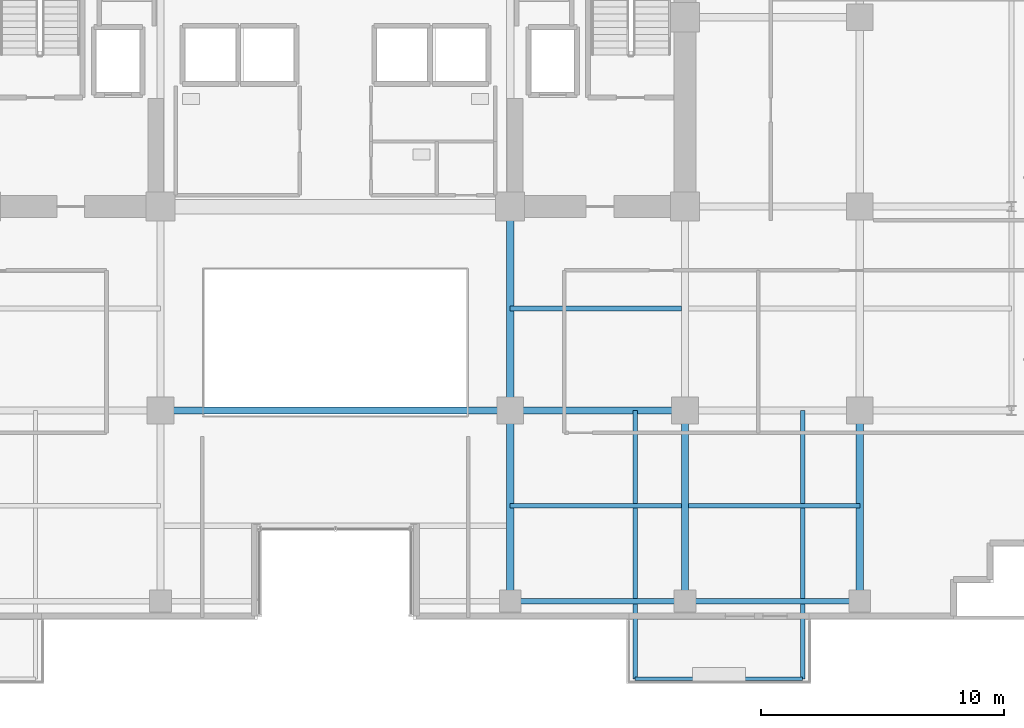
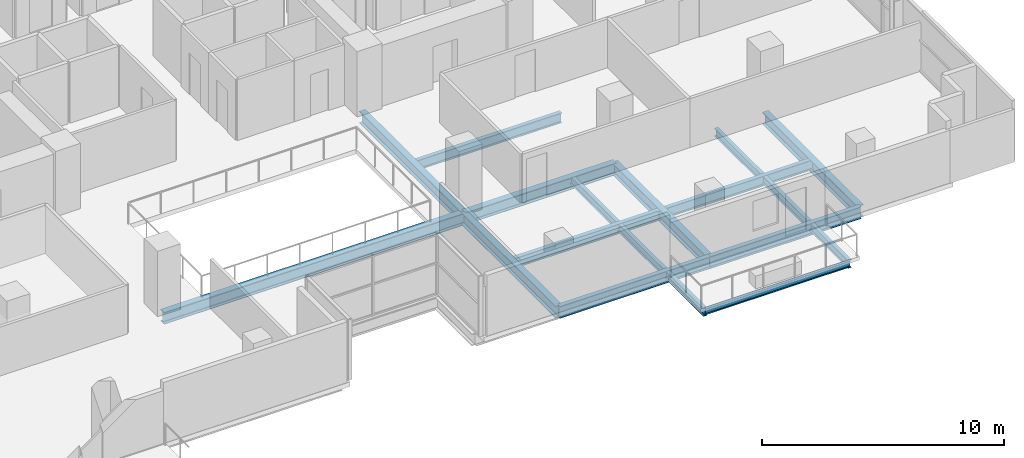
# One storey, part 10 of 30: 14 beams.
"""IFC4 building model written with IfcOpenShell, lengths in metres."""

from ifc_helpers import new_model, si_unit, direction, frame, origin, origin_2d, place, context, subcontext, project, spatial, i_section, extrude, material, material_profile, profile_set, type_object, element, save


model = new_model("IFC4")

# Units and contexts
model_context = context("Model", 3, precision=1e-05, world=origin(), true_north=direction((0.0, 1.0)))
body_context = subcontext(model_context, "Body", "Model", "MODEL_VIEW")
ifc_project = project(units=[si_unit("LENGTHUNIT", "METRE"), si_unit("AREAUNIT", "SQUARE_METRE"), si_unit("VOLUMEUNIT", "CUBIC_METRE"), si_unit("PLANEANGLEUNIT", "RADIAN"), si_unit("MASSUNIT", "GRAM", prefix="KILO")], contexts=[model_context])

# Site, building, storey
site_placement = place(None, origin())
site = spatial("IfcSite", under=ifc_project, at=site_placement, CompositionType="ELEMENT")
building_placement = place(site_placement, origin())
building = spatial("IfcBuilding", under=site, at=building_placement, Name="Zarnakvel Exchange Tower", CompositionType="ELEMENT")
storey_placement = place(building_placement, frame((0.0, 0.0, 34.0)))
storey = spatial("IfcBuildingStorey", under=building, at=storey_placement, Name="L08", CompositionType="ELEMENT", Elevation=34.0)

# Beams
ifc_material = material(Name="Steel S355", Category="steel")
ifc_material_profile_1 = material_profile(ifc_material, i_section(OverallWidth=0.199951171875, OverallDepth=0.5, WebThickness=0.01025390625, FlangeThickness=0.01611328125, FilletRadius=0.02099609375, at=origin_2d()))
ifc_profile_set_1 = profile_set([ifc_material_profile_1], Name="Steel S355")
beam_type_1 = type_object("IfcBeamType", Name="B-04", PredefinedType="JOIST", material=ifc_profile_set_1)
for number, where, z_axis, x_axis, name in (
    (1, (7.199951171875, -13.52490234375, -0.47509765625), (1.0, 0.0, 0.0), (0.0, 1.0, 0.0), "L08 Composite Floor Secondary Joist"),
    (2, (14.550048828125, -13.52490234375, -0.47509765625), (1.0, 0.0, 0.0), (0.0, 1.0, 0.0), "L08 Composite Floor Secondary Joist"),
    (3, (7.199951171875, -5.39990234375, -0.47509765625), (1.0, 0.0, 0.0), (0.0, 1.0, 0.0), "L08 Composite Floor Secondary Joist"),
):
    element("IfcBeam", number, at=place(storey_placement, frame(where, z_axis=z_axis, x_axis=x_axis)), inside=storey, type_object=beam_type_1, Name=name, PredefinedType="JOIST", context=body_context, shape_type="SweptSolid", body=[
        extrude(i_section(OverallWidth=0.199951171875, OverallDepth=0.5, WebThickness=0.01025390625, FlangeThickness=0.01611328125, FilletRadius=0.02099609375, at=origin_2d()), origin(), (0.0, 0.0, 1.0), 7.050048828125),
    ])
ifc_material_profile_2 = material_profile(ifc_material, i_section(OverallWidth=0.179931640625, OverallDepth=0.39990234375, WebThickness=0.008544921875, FlangeThickness=0.013427734375, FilletRadius=0.02099609375, at=origin_2d()))
ifc_profile_set_2 = profile_set([ifc_material_profile_2], Name="Steel S355")
beam_type_2 = type_object("IfcBeamType", Name="B-06", PredefinedType="JOIST", material=ifc_profile_set_2)
for number, where, z_axis, x_axis, name in (
    (4, (12.35009765625, -9.60009765625, -0.425048828125), (0.0, -1.0, 0.0), (1.0, 0.0, 0.0), "L08 Continuous Back-Spanned Balcony Beam W"),
    (5, (19.25, -9.60009765625, -0.425048828125), (0.0, -1.0, 0.0), (1.0, 0.0, 0.0), "L08 Continuous Back-Spanned Balcony Beam E"),
):
    element("IfcBeam", number, at=place(storey_placement, frame(where, z_axis=z_axis, x_axis=x_axis)), inside=storey, type_object=beam_type_2, Name=name, PredefinedType="JOIST", context=body_context, shape_type="SweptSolid", body=[
        extrude(i_section(OverallWidth=0.179931640625, OverallDepth=0.39990234375, WebThickness=0.008544921875, FlangeThickness=0.013427734375, FilletRadius=0.02099609375, at=origin_2d()), origin(), (0.0, 0.0, 1.0), 11.0498046875),
    ])
ifc_material_profile_3 = material_profile(ifc_material, i_section(OverallWidth=0.14990234375, OverallDepth=0.300048828125, WebThickness=0.007080078125, FlangeThickness=0.0107421875, FilletRadius=0.014892578125, at=origin_2d()))
ifc_profile_set_3 = profile_set([ifc_material_profile_3], Name="Steel S355")
beam_type_3 = type_object("IfcBeamType", Name="B-08", PredefinedType="JOIST", material=ifc_profile_set_3)
beam_1_placement = place(storey_placement, frame((12.35009765625, -20.64990234375, -0.375), z_axis=(1.0, 0.0, 0.0), x_axis=(0.0, 1.0, 0.0)))
element("IfcBeam", 6, at=beam_1_placement, inside=storey, type_object=beam_type_3, Name="L08 Balcony Edge Beam", PredefinedType="JOIST", context=body_context, shape_type="SweptSolid", body=[
    extrude(i_section(OverallWidth=0.14990234375, OverallDepth=0.300048828125, WebThickness=0.007080078125, FlangeThickness=0.0107421875, FilletRadius=0.014892578125, at=origin_2d()), origin(), (0.0, 0.0, 1.0), 6.89990234375),
])
ifc_material_profile_4 = material_profile(ifc_material, i_section(OverallWidth=0.300048828125, OverallDepth=0.60009765625, WebThickness=0.015380859375, FlangeThickness=0.030029296875, FilletRadius=0.027099609375, at=origin_2d()))
ifc_profile_set_4 = profile_set([ifc_material_profile_4], Name="Steel S355")
beam_type_4 = type_object("IfcBeamType", Name="G-04", PredefinedType="BEAM", material=ifc_profile_set_4)
beam_2_placement = place(storey_placement, frame((-7.199951171875, -9.60009765625, -0.52490234375), z_axis=(1.0, 0.0, 0.0), x_axis=(0.0, 1.0, 0.0)))
element("IfcBeam", 7, at=beam_2_placement, inside=storey, type_object=beam_type_4, Name="L08 Tower E-W Frame Beam", PredefinedType="BEAM", context=body_context, shape_type="SweptSolid", body=[
    extrude(i_section(OverallWidth=0.300048828125, OverallDepth=0.60009765625, WebThickness=0.015380859375, FlangeThickness=0.030029296875, FilletRadius=0.027099609375, at=origin_2d()), origin(), (0.0, 0.0, 1.0), 14.39990234375),
])
beam_3_placement = place(storey_placement, frame((7.199951171875, -9.60009765625, -0.52490234375), z_axis=(1.0, 0.0, 0.0), x_axis=(0.0, 1.0, 0.0)))
element("IfcBeam", 8, at=beam_3_placement, inside=storey, type_object=beam_type_4, Name="L08 Tower E-W Frame Beam", PredefinedType="BEAM", context=body_context, shape_type="SweptSolid", body=[
    extrude(i_section(OverallWidth=0.300048828125, OverallDepth=0.60009765625, WebThickness=0.015380859375, FlangeThickness=0.030029296875, FilletRadius=0.027099609375, at=origin_2d()), origin(), (0.0, 0.0, 1.0), 7.199951171875),
])
beam_4_placement = place(storey_placement, frame((7.199951171875, -17.449951171875, -0.52490234375), z_axis=(0.0, 1.0, 0.0), x_axis=(-1.0, 0.0, 0.0)))
element("IfcBeam", 9, at=beam_4_placement, inside=storey, type_object=beam_type_4, Name="L08 Tower N-S Frame Beam", PredefinedType="BEAM", context=body_context, shape_type="SweptSolid", body=[
    extrude(i_section(OverallWidth=0.300048828125, OverallDepth=0.60009765625, WebThickness=0.015380859375, FlangeThickness=0.030029296875, FilletRadius=0.027099609375, at=origin_2d()), origin(), (0.0, 0.0, 1.0), 7.849853515625),
])
beam_5_placement = place(storey_placement, frame((7.199951171875, -9.60009765625, -0.52490234375), z_axis=(0.0, 1.0, 0.0), x_axis=(-1.0, 0.0, 0.0)))
element("IfcBeam", 10, at=beam_5_placement, inside=storey, type_object=beam_type_4, Name="L08 Tower N-S Frame Beam", PredefinedType="BEAM", context=body_context, shape_type="SweptSolid", body=[
    extrude(i_section(OverallWidth=0.300048828125, OverallDepth=0.60009765625, WebThickness=0.015380859375, FlangeThickness=0.030029296875, FilletRadius=0.027099609375, at=origin_2d()), origin(), (0.0, 0.0, 1.0), 8.400146484375),
])
for number, where, z_axis, x_axis, name in (
    (11, (14.39990234375, -17.449951171875, -0.52490234375), (0.0, 1.0, 0.0), (-1.0, 0.0, 0.0), "L08 Tower N-S Frame Beam"),
    (12, (21.60009765625, -17.449951171875, -0.52490234375), (0.0, 1.0, 0.0), (-1.0, 0.0, 0.0), "L08 Tower N-S Frame Beam"),
):
    element("IfcBeam", number, at=place(storey_placement, frame(where, z_axis=z_axis, x_axis=x_axis)), inside=storey, type_object=beam_type_4, Name=name, PredefinedType="BEAM", context=body_context, shape_type="SweptSolid", body=[
        extrude(i_section(OverallWidth=0.300048828125, OverallDepth=0.60009765625, WebThickness=0.015380859375, FlangeThickness=0.030029296875, FilletRadius=0.027099609375, at=origin_2d()), origin(), (0.0, 0.0, 1.0), 7.849853515625),
    ])
ifc_material_profile_5 = material_profile(ifc_material, i_section(OverallWidth=0.219970703125, OverallDepth=0.60009765625, WebThickness=0.011962890625, FlangeThickness=0.01904296875, FilletRadius=0.02392578125, at=origin_2d()))
ifc_profile_set_5 = profile_set([ifc_material_profile_5], Name="Steel S355")
beam_type_5 = type_object("IfcBeamType", Name="SP-01", PredefinedType="SPANDREL", material=ifc_profile_set_5)
beam_6_placement = place(storey_placement, frame((7.199951171875, -17.449951171875, -0.52490234375), z_axis=(1.0, 0.0, 0.0), x_axis=(0.0, 1.0, 0.0)))
element("IfcBeam", 13, at=beam_6_placement, inside=storey, type_object=beam_type_5, Name="L08 Tower E-W Frame Beam", PredefinedType="SPANDREL", context=body_context, shape_type="SweptSolid", body=[
    extrude(i_section(OverallWidth=0.219970703125, OverallDepth=0.60009765625, WebThickness=0.011962890625, FlangeThickness=0.01904296875, FilletRadius=0.02392578125, at=origin_2d()), origin(), (0.0, 0.0, 1.0), 7.199951171875),
])
beam_7_placement = place(storey_placement, frame((14.39990234375, -17.449951171875, -0.52490234375), z_axis=(1.0, 0.0, 0.0), x_axis=(0.0, 1.0, 0.0)))
element("IfcBeam", 14, at=beam_7_placement, inside=storey, type_object=beam_type_5, Name="L08 Tower E-W Frame Beam", PredefinedType="SPANDREL", context=body_context, shape_type="SweptSolid", body=[
    extrude(i_section(OverallWidth=0.219970703125, OverallDepth=0.60009765625, WebThickness=0.011962890625, FlangeThickness=0.01904296875, FilletRadius=0.02392578125, at=origin_2d()), origin(), (0.0, 0.0, 1.0), 7.2001953125),
])

save(model, "model.ifc")
